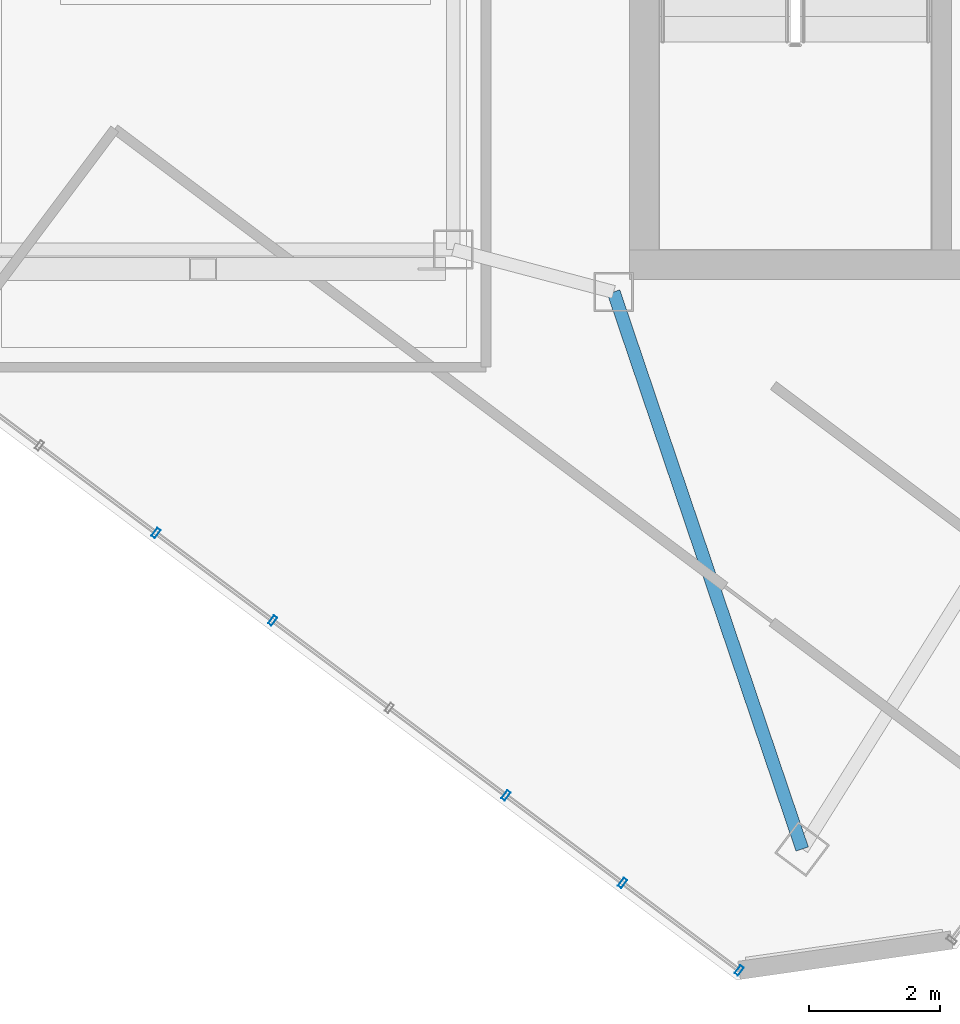
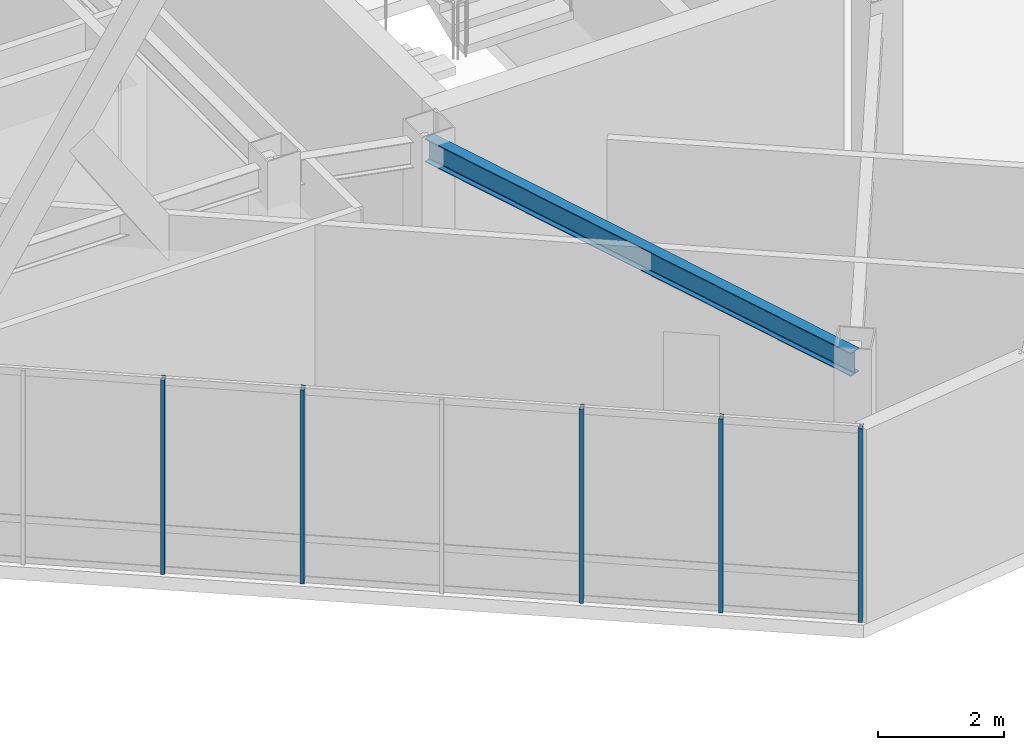
# One storey, part 4 of 21: 5 members, 1 beam, 1 element without a shape of its own.
"""IFC4 building model written with IfcOpenShell, lengths in metres."""

from ifc_helpers import new_model, si_unit, direction, frame, origin, origin_2d, place, context, subcontext, project, spatial, hollow_rectangle, i_section, extrude, material, layer, layer_set, material_profile, profile_set, type_object, element, aggregate, save


model = new_model("IFC4")

# Units and contexts
model_context = context("Model", 3, precision=1e-05, world=origin(), true_north=direction((0.0, 1.0)))
body_context = subcontext(model_context, "Body", "Model", "MODEL_VIEW")
ifc_project = project(units=[si_unit("LENGTHUNIT", "METRE"), si_unit("AREAUNIT", "SQUARE_METRE"), si_unit("VOLUMEUNIT", "CUBIC_METRE"), si_unit("PLANEANGLEUNIT", "RADIAN"), si_unit("MASSUNIT", "GRAM", prefix="KILO")], contexts=[model_context])

# Site, building, storey
site_placement = place(None, origin())
site = spatial("IfcSite", under=ifc_project, at=site_placement, CompositionType="ELEMENT")
building_placement = place(site_placement, origin())
building = spatial("IfcBuilding", under=site, at=building_placement, Name="Hatsunagi Terrace Concourse", CompositionType="ELEMENT")
storey_placement = place(building_placement, frame((0.0, 0.0, 265.949951171875)))
storey = spatial("IfcBuildingStorey", under=building, at=storey_placement, Name="L70", CompositionType="ELEMENT", Elevation=265.949951171875)

# Curtain wall, members
ifc_material_1 = material(Name="Anodised Aluminium Alloy 6063-T5", Category="aluminium")
ifc_layer = layer(ifc_material_1, 0.199951171875)
ifc_layer_set = layer_set([ifc_layer], Name="CrownWintergarden_CW06")
curtain_wall_type = type_object("IfcCurtainWallType", Name="CrownWintergarden_CW06", PredefinedType="NOTDEFINED", material=ifc_layer_set)
curtain_wall_placement = place(storey_placement, origin())
curtain_wall = element("IfcCurtainWall", 1, at=curtain_wall_placement, inside=storey, type_object=curtain_wall_type, Name="Unitised Curtain Wall CW-06 CW-L70-05", PredefinedType="NOTDEFINED")
ifc_material_2 = material(Name="Anodised Aluminium Alloy 6063-T5", Category="aluminium")
ifc_material_profile_1 = material_profile(ifc_material_2, hollow_rectangle(XDim=0.06494140625, YDim=0.14990234375, WallThickness=0.00390625, at=origin_2d()), Name="ALU-MUL-150x65x4")
ifc_profile_set_1 = profile_set([ifc_material_profile_1], Name="Anodised Aluminium Alloy 6063-T5")
member_type = type_object("IfcMemberType", Name="CurtainWallMullion_Crown_150x65", PredefinedType="MULLION", material=ifc_profile_set_1)
member_1_placement = place(storey_placement, frame((37.718017578125, 14.18701171875, 0.0), z_axis=(0.0, 0.0, 1.0), x_axis=(-0.800007305671, 0.599990258982, 0.0)))
member_1 = element("IfcMember", 2, at=member_1_placement, type_object=member_type, Name="Curtain Wall Mullion MUL-03", PredefinedType="MULLION", context=body_context, shape_type="SweptSolid", body=[
    extrude(hollow_rectangle(XDim=0.06494140625, YDim=0.14990234375, WallThickness=0.00390625, at=origin_2d()), origin(), (0.0, 0.0, 1.0), 3.75),
])
member_2_placement = place(storey_placement, frame((35.93603515625, 15.52294921875, 0.0), z_axis=(0.0, 0.0, 1.0), x_axis=(-0.800007305671, 0.599990258982, 0.0)))
member_2 = element("IfcMember", 3, at=member_2_placement, type_object=member_type, Name="Curtain Wall Mullion MUL-03", PredefinedType="MULLION", context=body_context, shape_type="SweptSolid", body=[
    extrude(hollow_rectangle(XDim=0.06494140625, YDim=0.14990234375, WallThickness=0.00390625, at=origin_2d()), origin(), (0.0, 0.0, 1.0), 3.75),
])
member_3_placement = place(storey_placement, frame((34.155029296875, 16.85888671875, 0.0), z_axis=(0.0, 0.0, 1.0), x_axis=(-0.800007305671, 0.599990258982, 0.0)))
member_3 = element("IfcMember", 4, at=member_3_placement, type_object=member_type, Name="Curtain Wall Mullion MUL-03", PredefinedType="MULLION", context=body_context, shape_type="SweptSolid", body=[
    extrude(hollow_rectangle(XDim=0.06494140625, YDim=0.14990234375, WallThickness=0.00390625, at=origin_2d()), origin(), (0.0, 0.0, 1.0), 3.75),
])
member_4_placement = place(storey_placement, frame((30.592041015625, 19.531982421875, 0.0), z_axis=(0.0, 0.0, 1.0), x_axis=(-0.800007305671, 0.599990258982, 0.0)))
member_4 = element("IfcMember", 5, at=member_4_placement, type_object=member_type, Name="Curtain Wall Mullion MUL-03", PredefinedType="MULLION", context=body_context, shape_type="SweptSolid", body=[
    extrude(hollow_rectangle(XDim=0.06494140625, YDim=0.14990234375, WallThickness=0.00390625, at=origin_2d()), origin(), (0.0, 0.0, 1.0), 3.75),
])
member_5_placement = place(storey_placement, frame((28.81005859375, 20.867919921875, 0.0), z_axis=(0.0, 0.0, 1.0), x_axis=(-0.800007305671, 0.599990258982, 0.0)))
member_5 = element("IfcMember", 6, at=member_5_placement, type_object=member_type, Name="Curtain Wall Mullion MUL-03", PredefinedType="MULLION", context=body_context, shape_type="SweptSolid", body=[
    extrude(hollow_rectangle(XDim=0.06494140625, YDim=0.14990234375, WallThickness=0.00390625, at=origin_2d()), origin(), (0.0, 0.0, 1.0), 3.75),
])
aggregate(curtain_wall, [member_1, member_2, member_3, member_4, member_5])

# Beam
ifc_material_3 = material(Name="Steel SN490B", Category="steel")
ifc_material_profile_2 = material_profile(ifc_material_3, i_section(OverallWidth=0.199951171875, OverallDepth=0.449951171875, WebThickness=0.009033203125, FlangeThickness=0.013916015625, FilletRadius=0.01611328125, at=origin_2d()), Name="H-450x200x9x14")
ifc_profile_set_2 = profile_set([ifc_material_profile_2], Name="Steel SN490B")
beam_type = type_object("IfcBeamType", Name="PerimeterSpandrel_H_450x200", PredefinedType="SPANDREL", material=ifc_profile_set_2)
beam_placement = place(storey_placement, frame((35.800048828125, 24.550048828125, 3.525146484375), z_axis=(0.320553412271, -0.947230441805, 0.0), x_axis=(0.947230441805, 0.320553412271, 0.0)))
element("IfcBeam", 7, at=beam_placement, inside=storey, type_object=beam_type, Name="Beam SP-02 BM-L70-SE-SW0", PredefinedType="SPANDREL", context=body_context, shape_type="SweptSolid", body=[
    extrude(i_section(OverallWidth=0.199951171875, OverallDepth=0.449951171875, WebThickness=0.009033203125, FlangeThickness=0.013916015625, FilletRadius=0.01611328125, at=origin_2d()), origin(), (0.0, 0.0, 1.0), 8.984130859375),
])

save(model, "model.ifc")
